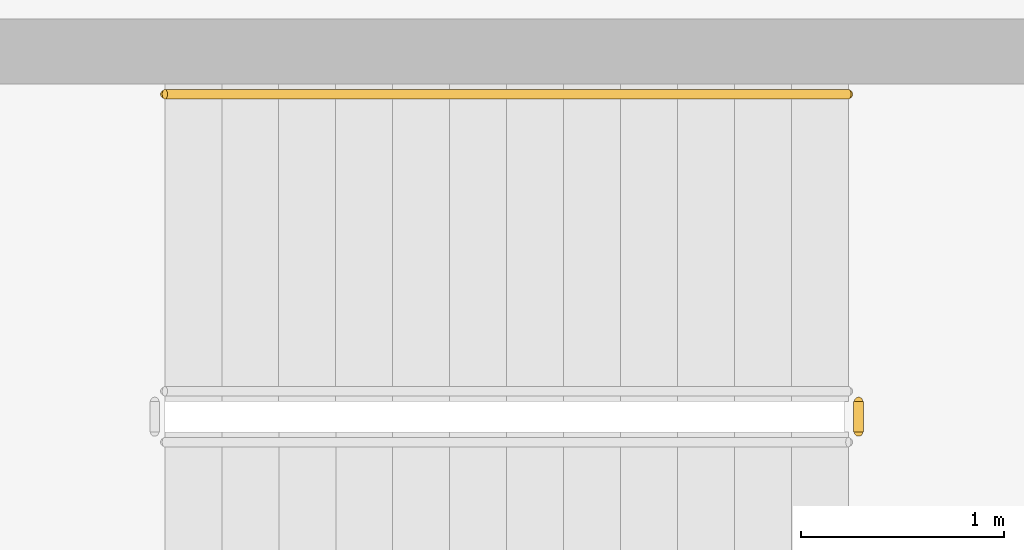
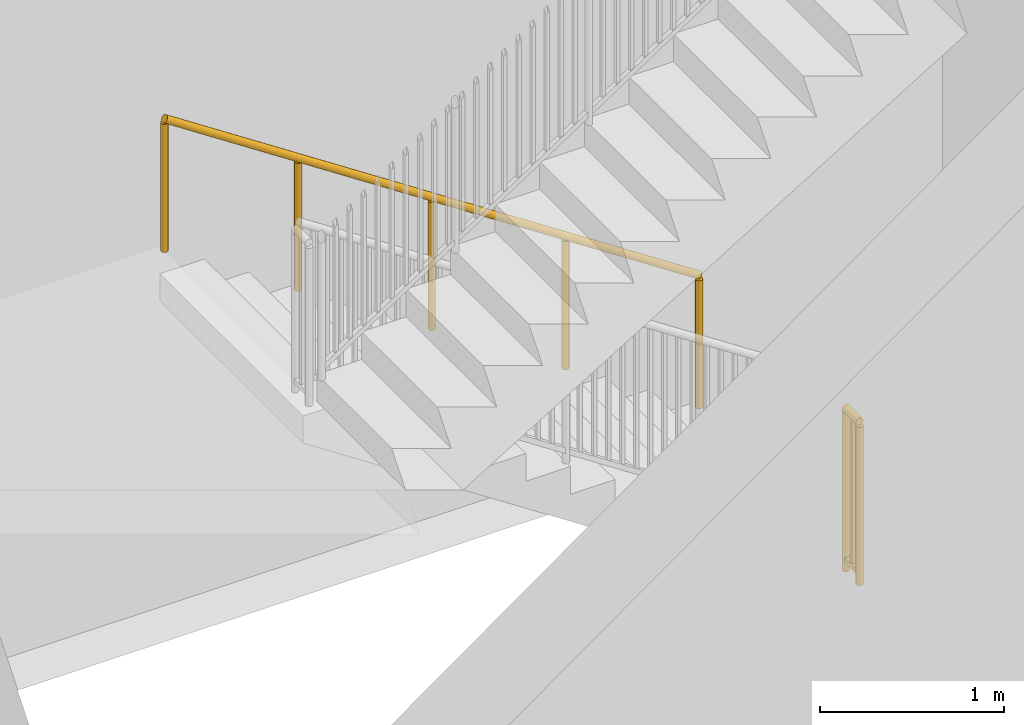
# One storey, part 96 of 101: 2 railings.
"""IFC4 building model written with IfcOpenShell, lengths in metres."""

from ifc_helpers import new_model, si_unit, direction, frame, origin, origin_2d, place, context, subcontext, project, spatial, rectangle, circle, extrude, material, type_object, element, save


model = new_model("IFC4")

# Units and contexts
model_context = context("Model", 3, precision=1e-05, world=origin(), true_north=direction((0.0, 1.0)))
body_context = subcontext(model_context, "Body", "Model", "MODEL_VIEW")
ifc_project = project(units=[si_unit("LENGTHUNIT", "METRE"), si_unit("AREAUNIT", "SQUARE_METRE"), si_unit("VOLUMEUNIT", "CUBIC_METRE"), si_unit("PLANEANGLEUNIT", "RADIAN"), si_unit("MASSUNIT", "GRAM", prefix="KILO")], contexts=[model_context])

# Site, building, storey
site_placement = place(None, origin())
site = spatial("IfcSite", under=ifc_project, at=site_placement, CompositionType="ELEMENT")
building_placement = place(site_placement, origin())
building = spatial("IfcBuilding", under=site, at=building_placement, Name="Zantavel Square City Hall", CompositionType="ELEMENT")
storey_placement = place(building_placement, frame((0.0, 0.0, 5.39990234375)))
storey = spatial("IfcBuildingStorey", under=building, at=storey_placement, Name="L02", CompositionType="ELEMENT", Elevation=5.39990234375)

# Railings
ifc_material_1 = material(Name="Steel ASTM A500 Grade B", Category="steel")
railing_type_1 = type_object("IfcRailingType", Name="Atrium & Gallery Steel Guard Railing 1100mm", PredefinedType="GUARDRAIL", material=ifc_material_1)
railing_1_placement = place(storey_placement, frame((102.02001953125, 63.110107421875, 0.0)))
element("IfcRailing", 1, at=railing_1_placement, inside=storey, type_object=railing_type_1, Name="L02 ST6 stair guard 4", PredefinedType="GUARDRAIL", context=body_context, shape_type="SweptSolid", body=[
    extrude(circle(Radius=0.02392578125, at=origin_2d()), frame((0.0, 0.0, 1.076171875), z_axis=(0.0, -1.0, 0.0), x_axis=(1.0, 0.0, 0.0)), (0.0, 0.0, 1.0), 0.150146484375),
    extrude(rectangle(XDim=0.031982421875, YDim=0.031982421875, at=origin_2d()), frame((0.0, 0.0, 0.080078125), z_axis=(0.0, -1.0, 0.0), x_axis=(1.0, 0.0, 0.0)), (0.0, 0.0, 1.0), 0.150146484375),
    extrude(rectangle(XDim=0.02197265625, YDim=0.02197265625, at=origin_2d()), frame((0.0, -0.0751953125, 0.080078125)), (0.0, 0.0, 1.0), 0.971923828125),
    extrude(circle(Radius=0.02099609375, at=origin_2d()), origin(), (0.0, 0.0, 1.0), 1.052001953125),
    extrude(circle(Radius=0.02099609375, at=origin_2d()), frame((0.0, -0.150146484375, 0.0)), (0.0, 0.0, 1.0), 1.052001953125),
])
ifc_material_2 = material(Name="Stainless steel 316", Category="steel")
railing_type_2 = type_object("IfcRailingType", Name="Stair Stainless Steel Handrail 900mm", PredefinedType="HANDRAIL", material=ifc_material_2)
railing_2_placement = place(storey_placement, frame((101.969970703125, 64.6201171875, 0.184814453125)))
element("IfcRailing", 2, at=railing_2_placement, inside=storey, type_object=railing_type_2, Name="L02 ST6 stair handrail 1", PredefinedType="HANDRAIL", context=body_context, shape_type="SweptSolid", body=[
    extrude(circle(Radius=0.02392578125, at=origin_2d()), frame((0.0, 0.0, 0.8759765625), z_axis=(-0.834858096282, 0.0, 0.550465220583), x_axis=(0.0, -1.0, 0.0)), (0.0, 0.0, 1.0), 4.0244140625),
    extrude(circle(Radius=0.02099609375, at=origin_2d()), origin(), (0.0, 0.0, 1.0), 0.851806640625),
    extrude(circle(Radius=0.02099609375, at=origin_2d()), frame((-0.83984375, 0.0, 0.5537109375)), (0.0, 0.0, 1.0), 0.851806640625),
    extrude(circle(Radius=0.02099609375, at=origin_2d()), frame((-1.679931640625, 0.0, 1.107666015625)), (0.0, 0.0, 1.0), 0.851806640625),
    extrude(circle(Radius=0.02099609375, at=origin_2d()), frame((-2.52001953125, 0.0, 1.66162109375)), (0.0, 0.0, 1.0), 0.851806640625),
    extrude(circle(Radius=0.02099609375, at=origin_2d()), frame((-3.35986328125, 0.0, 2.21533203125)), (0.0, 0.0, 1.0), 0.851806640625),
])

save(model, "model.ifc")
